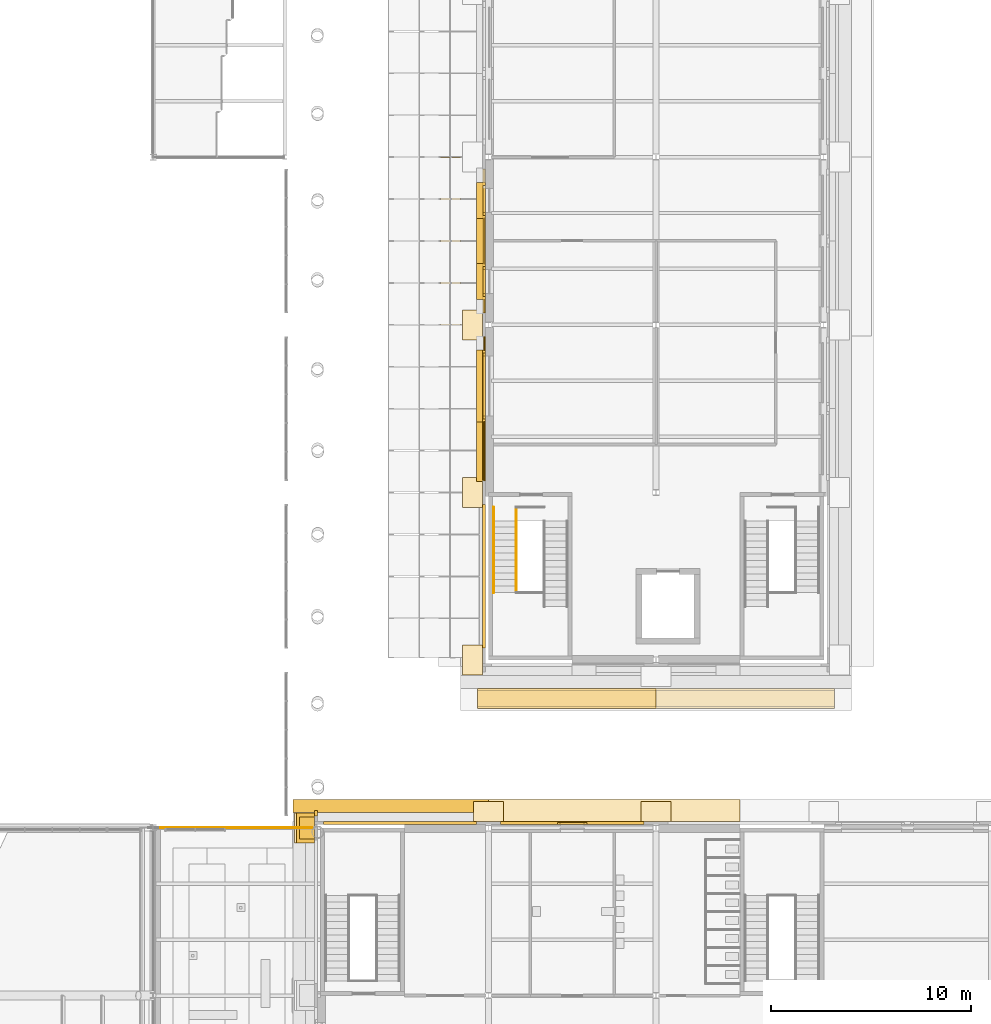
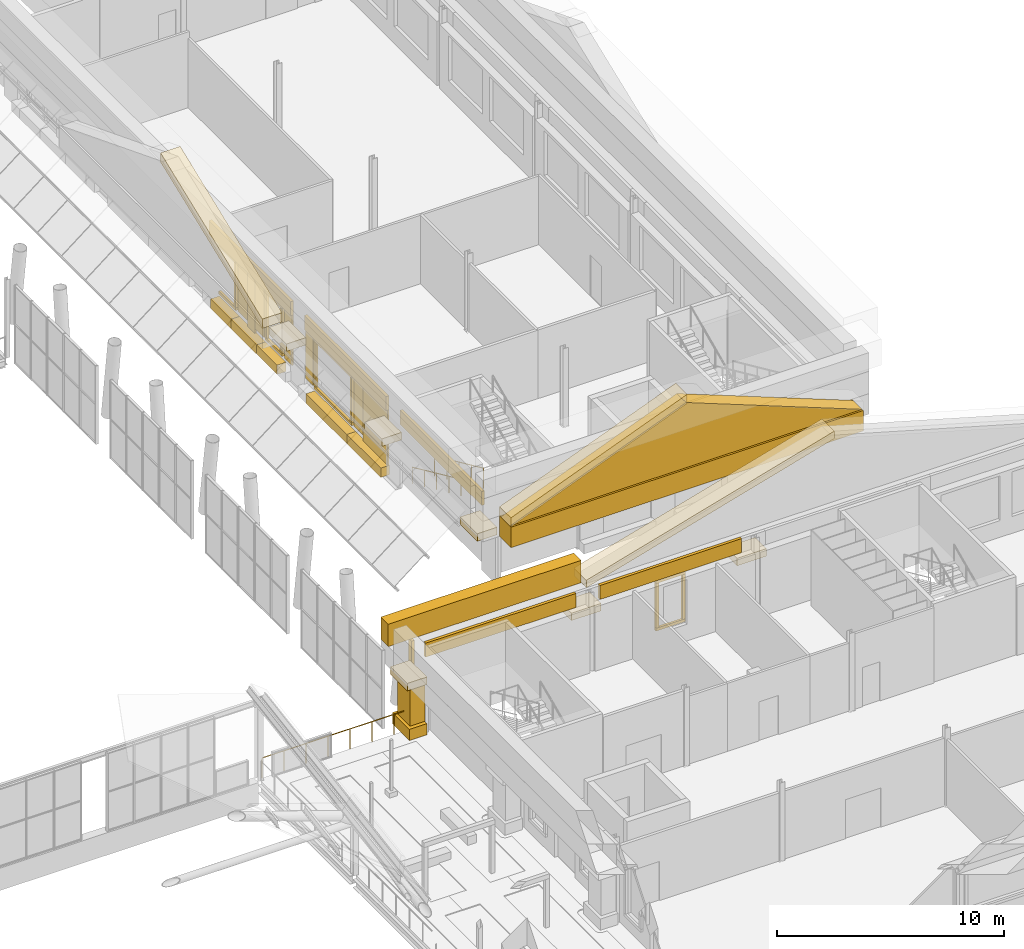
# One storey, part 63 of 76: 47 coverings, 3 railings.
"""IFC4 building model written with IfcOpenShell, lengths in metres."""

from ifc_helpers import new_model, si_unit, direction, frame, origin, origin_2d, place, context, subcontext, project, spatial, polyline, rectangle, circle, outline, extrude, material, layer, layer_set, type_object, element, save


model = new_model("IFC4")

# Units and contexts
model_context = context("Model", 3, precision=1e-05, world=origin(), true_north=direction((0.0, 1.0)))
body_context = subcontext(model_context, "Body", "Model", "MODEL_VIEW")
ifc_project = project(units=[si_unit("LENGTHUNIT", "METRE"), si_unit("AREAUNIT", "SQUARE_METRE"), si_unit("VOLUMEUNIT", "CUBIC_METRE"), si_unit("PLANEANGLEUNIT", "RADIAN"), si_unit("MASSUNIT", "GRAM", prefix="KILO")], contexts=[model_context])

# Site, building, storey
site_placement = place(None, origin())
site = spatial("IfcSite", under=ifc_project, at=site_placement, CompositionType="ELEMENT")
building_placement = place(site_placement, origin())
building = spatial("IfcBuilding", under=site, at=building_placement, Name="Sava Quay Ferry Terminal", CompositionType="ELEMENT")
storey_placement = place(building_placement, frame((0.0, 0.0, 10.800048828125)))
storey = spatial("IfcBuildingStorey", under=building, at=storey_placement, Name="L02", CompositionType="ELEMENT", Elevation=10.800048828125)

# Covering
ifc_material_1 = material(Name="Limestone Mutalj", Category="masonry")
ifc_layer_1 = layer(ifc_material_1, 0.64990234375)
ifc_layer_set_1 = layer_set([ifc_layer_1], Name="Limestone Mutalj")
covering_type_1 = type_object("IfcCoveringType", Name="Attic parapet 650", PredefinedType="MOLDING", material=ifc_layer_set_1)
covering_1_placement = place(storey_placement, frame((87.5, 51.485107421875, 4.2001953125), z_axis=(0.0, 0.0, 1.0), x_axis=(1.0, 0.0, 0.0)))
element("IfcCovering", 1, at=covering_1_placement, inside=storey, type_object=covering_type_1, Name="Attic parapet P N", PredefinedType="MOLDING", context=body_context, shape_type="SweptSolid", body=[
    extrude(rectangle(XDim=9.800048828125, YDim=0.64990234375, at=origin_2d()), origin(), (0.0, 0.0, 1.0), 1.199951171875),
])

# Railing
ifc_material_2 = material(Name="Steel S355", Category="steel")
railing_type_1 = type_object("IfcRailingType", Name="Edge guard 1100", PredefinedType="GUARDRAIL", material=ifc_material_2)
railing_1_placement = place(storey_placement, frame((75.760009765625, 50.39990234375, 0.0)))
element("IfcRailing", 2, at=railing_1_placement, inside=storey, type_object=railing_type_1, Name="Terrace edge guard", PredefinedType="GUARDRAIL", context=body_context, shape_type="SweptSolid", body=[
    extrude(circle(Radius=0.02392578125, at=origin_2d()), frame((0.0, 0.0, 1.076171875), z_axis=(1.0, 0.0, 0.0), x_axis=(0.0, 1.0, 0.0)), (0.0, 0.0, 1.0), 7.820068359375),
    extrude(circle(Radius=0.02099609375, at=origin_2d()), origin(), (0.0, 0.0, 1.0), 1.052001953125),
    extrude(circle(Radius=0.02099609375, at=origin_2d()), frame((1.1171875, 0.0, 0.0)), (0.0, 0.0, 1.0), 1.052001953125),
    extrude(circle(Radius=0.02099609375, at=origin_2d()), frame((2.234375, 0.0, 0.0)), (0.0, 0.0, 1.0), 1.052001953125),
    extrude(circle(Radius=0.02099609375, at=origin_2d()), frame((3.3515625, 0.0, 0.0)), (0.0, 0.0, 1.0), 1.052001953125),
    extrude(circle(Radius=0.02099609375, at=origin_2d()), frame((4.468505859375, 0.0, 0.0)), (0.0, 0.0, 1.0), 1.052001953125),
    extrude(circle(Radius=0.02099609375, at=origin_2d()), frame((5.585693359375, 0.0, 0.0)), (0.0, 0.0, 1.0), 1.052001953125),
    extrude(circle(Radius=0.02099609375, at=origin_2d()), frame((6.702880859375, 0.0, 0.0)), (0.0, 0.0, 1.0), 1.052001953125),
    extrude(circle(Radius=0.02099609375, at=origin_2d()), frame((7.820068359375, 0.0, 0.0)), (0.0, 0.0, 1.0), 1.052001953125),
])

# Coverings
ifc_material_3 = material(Name="Limestone Mutalj", Category="masonry")
ifc_layer_2 = layer(ifc_material_3, 0.89990234375)
ifc_layer_set_2 = layer_set([ifc_layer_2], Name="Limestone Mutalj")
covering_type_2 = type_object("IfcCoveringType", Name="Giant-order pilaster base 1500", PredefinedType="MOLDING", material=ifc_layer_set_2)
covering_2_placement = place(storey_placement, frame((83.25, 50.39990234375, 0.0), z_axis=(0.0, 0.0, 1.0), x_axis=(1.0, 0.0, 0.0)))
element("IfcCovering", 3, at=covering_2_placement, inside=storey, type_object=covering_type_2, Name="Giant-order pilaster base", PredefinedType="MOLDING", context=body_context, shape_type="SweptSolid", body=[
    extrude(rectangle(XDim=0.89990234375, YDim=1.5, at=origin_2d()), origin(), (0.0, 0.0, 1.0), 0.60009765625),
])
ifc_material_4 = material(Name="Limestone Mutalj", Category="masonry")
ifc_layer_3 = layer(ifc_material_4, 0.75)
ifc_layer_set_3 = layer_set([ifc_layer_3], Name="Limestone Mutalj")
covering_type_3 = type_object("IfcCoveringType", Name="Giant-order pilaster shaft 1100", PredefinedType="CLADDING", material=ifc_layer_set_3)
covering_3_placement = place(storey_placement, frame((83.324951171875, 50.39990234375, 0.599853515625), z_axis=(0.0, 0.0, 1.0), x_axis=(1.0, 0.0, 0.0)))
element("IfcCovering", 4, at=covering_3_placement, inside=storey, type_object=covering_type_3, Name="Giant-order pilaster", PredefinedType="CLADDING", context=body_context, shape_type="SweptSolid", body=[
    extrude(rectangle(XDim=0.75, YDim=1.10009765625, at=origin_2d()), origin(), (0.0, 0.0, 1.0), 2.10009765625),
])

# Railing
ifc_material_5 = material(Name="Steel S355", Category="steel")
railing_type_2 = type_object("IfcRailingType", Name="Guard 1100", PredefinedType="GUARDRAIL", material=ifc_material_5)
railing_2_placement = place(storey_placement, frame((93.800048828125, 66.469970703125, 0.14990234375)))
element("IfcRailing", 5, at=railing_2_placement, inside=storey, type_object=railing_type_2, Name="Guard at stair well ST-O1 L02", PredefinedType="GUARDRAIL", context=body_context, shape_type="SweptSolid", body=[
    extrude(circle(Radius=0.02392578125, at=origin_2d()), frame((0.0, 0.0, 1.076171875), z_axis=(0.0, -0.910371800137, 0.413791234219), x_axis=(1.0, 0.0, 0.0)), (0.0, 0.0, 1.0), 4.71240234375),
    extrude(circle(Radius=0.02099609375, at=origin_2d()), origin(), (0.0, 0.0, 1.0), 1.052001953125),
    extrude(circle(Radius=0.02099609375, at=origin_2d()), frame((0.0, -1.072509765625, 0.487548828125)), (0.0, 0.0, 1.0), 1.052001953125),
    extrude(circle(Radius=0.02099609375, at=origin_2d()), frame((0.0, -2.14501953125, 0.97509765625)), (0.0, 0.0, 1.0), 1.052001953125),
    extrude(circle(Radius=0.02099609375, at=origin_2d()), frame((0.0, -3.217529296875, 1.46240234375)), (0.0, 0.0, 1.0), 1.052001953125),
    extrude(circle(Radius=0.02099609375, at=origin_2d()), frame((0.0, -4.2900390625, 1.949951171875)), (0.0, 0.0, 1.0), 1.052001953125),
])

# Coverings
ifc_material_6 = material(Name="Limestone Mutalj", Category="masonry")
ifc_layer_4 = layer(ifc_material_6, 0.080078125)
ifc_layer_set_4 = layer_set([ifc_layer_4], Name="Limestone Mutalj")
covering_type_4 = type_object("IfcCoveringType", Name="Light stone cladding 80", PredefinedType="CLADDING", material=ifc_layer_set_4)
covering_4_placement = place(storey_placement, frame((92.2099609375, 68.868896484375, 0.5), z_axis=(0.0, 0.0, 1.0), x_axis=(1.0, 0.0, 0.0)))
element("IfcCovering", 6, at=covering_4_placement, inside=storey, type_object=covering_type_4, Name="Light stone cladding", PredefinedType="CLADDING", context=body_context, shape_type="SweptSolid", body=[
    extrude(rectangle(XDim=0.080078125, YDim=2.137451171875, at=origin_2d()), origin(), (0.0, 0.0, 1.0), 2.949951171875),
])
covering_5_placement = place(storey_placement, frame((92.2099609375, 70.33740234375, 0.800048828125), z_axis=(0.0, 0.0, 1.0), x_axis=(1.0, 0.0, 0.0)))
element("IfcCovering", 7, at=covering_5_placement, inside=storey, type_object=covering_type_4, Name="Light stone cladding", PredefinedType="CLADDING", context=body_context, shape_type="SweptSolid", body=[
    extrude(rectangle(XDim=0.080078125, YDim=0.800048828125, at=origin_2d()), origin(), (0.0, 0.0, 1.0), 2.64990234375),
])
covering_6_placement = place(storey_placement, frame((92.2099609375, 74.668701171875, 0.800048828125), z_axis=(0.0, 0.0, 1.0), x_axis=(1.0, 0.0, 0.0)))
element("IfcCovering", 8, at=covering_6_placement, inside=storey, type_object=covering_type_4, Name="Light stone cladding", PredefinedType="CLADDING", context=body_context, shape_type="SweptSolid", body=[
    extrude(rectangle(XDim=0.080078125, YDim=0.66259765625, at=origin_2d()), origin(), (0.0, 0.0, 1.0), 2.64990234375),
])
covering_7_placement = place(storey_placement, frame((92.2099609375, 76.534423828125, 0.75), z_axis=(0.0, 0.0, 1.0), x_axis=(1.0, 0.0, 0.0)))
element("IfcCovering", 9, at=covering_7_placement, inside=storey, type_object=covering_type_4, Name="Light stone cladding", PredefinedType="CLADDING", context=body_context, shape_type="SweptSolid", body=[
    extrude(rectangle(XDim=0.080078125, YDim=0.668701171875, at=origin_2d()), origin(), (0.0, 0.0, 1.0), 2.699951171875),
])
covering_8_placement = place(storey_placement, frame((92.2099609375, 79.068603515625, 0.75), z_axis=(0.0, 0.0, 1.0), x_axis=(1.0, 0.0, 0.0)))
element("IfcCovering", 10, at=covering_8_placement, inside=storey, type_object=covering_type_4, Name="Light stone cladding", PredefinedType="CLADDING", context=body_context, shape_type="SweptSolid", body=[
    extrude(rectangle(XDim=0.080078125, YDim=0.800048828125, at=origin_2d()), origin(), (0.0, 0.0, 1.0), 2.699951171875),
])
covering_9_placement = place(storey_placement, frame((92.2099609375, 79.800048828125, 0.5), z_axis=(0.0, 0.0, 1.0), x_axis=(1.0, 0.0, 0.0)))
element("IfcCovering", 11, at=covering_9_placement, inside=storey, type_object=covering_type_4, Name="Light stone cladding", PredefinedType="CLADDING", context=body_context, shape_type="SweptSolid", body=[
    extrude(rectangle(XDim=0.080078125, YDim=0.66259765625, at=origin_2d()), origin(), (0.0, 0.0, 1.0), 2.949951171875),
])
covering_10_placement = place(storey_placement, frame((92.2099609375, 80.53125, 0.800048828125), z_axis=(0.0, 0.0, 1.0), x_axis=(1.0, 0.0, 0.0)))
element("IfcCovering", 12, at=covering_10_placement, inside=storey, type_object=covering_type_4, Name="Light stone cladding", PredefinedType="CLADDING", context=body_context, shape_type="SweptSolid", body=[
    extrude(rectangle(XDim=0.080078125, YDim=0.800048828125, at=origin_2d()), origin(), (0.0, 0.0, 1.0), 2.64990234375),
])
ifc_material_7 = material(Name="Limestone Mutalj", Category="masonry")
ifc_layer_5 = layer(ifc_material_7, 0.14990234375)
ifc_layer_set_5 = layer_set([ifc_layer_5], Name="Limestone Mutalj")
covering_type_5 = type_object("IfcCoveringType", Name="Limestone string course 150", PredefinedType="CLADDING", material=ifc_layer_set_5)
covering_11_placement = place(storey_placement, frame((0.0, 0.0, 3.449951171875)))
element("IfcCovering", 13, at=covering_11_placement, inside=storey, type_object=covering_type_5, Name="String course P-N", PredefinedType="CLADDING", context=body_context, shape_type="SweptSolid", body=[
    extrude(outline(polyline([(84.14990234375, 50.56005859375), (91.800048828125, 50.56005859375), (91.800048828125, 50.7099609375), (84.14990234375, 50.7099609375), (84.14990234375, 50.56005859375)])), origin(), (0.0, 0.0, 1.0), 0.75),
])
covering_12_placement = place(storey_placement, frame((0.0, 0.0, 3.449951171875)))
element("IfcCovering", 14, at=covering_12_placement, inside=storey, type_object=covering_type_5, Name="String course P-N", PredefinedType="CLADDING", context=body_context, shape_type="SweptSolid", body=[
    extrude(outline(polyline([(93.0, 50.56005859375), (100.199951171875, 50.56005859375), (100.199951171875, 50.7099609375), (93.0, 50.7099609375), (93.0, 50.56005859375)])), origin(), (0.0, 0.0, 1.0), 0.75),
])
covering_13_placement = place(storey_placement, frame((0.0, 0.0, 3.449951171875)))
element("IfcCovering", 15, at=covering_13_placement, inside=storey, type_object=covering_type_5, Name="String course O-W", PredefinedType="CLADDING", context=body_context, shape_type="SweptSolid", body=[
    extrude(outline(polyline([(92.25, 59.39990234375), (92.25, 66.60009765625), (92.10009765625, 66.60009765625), (92.10009765625, 59.39990234375), (92.25, 59.39990234375)])), origin(), (0.0, 0.0, 1.0), 0.75),
])
covering_14_placement = place(storey_placement, frame((0.0, 0.0, 3.449951171875)))
element("IfcCovering", 16, at=covering_14_placement, inside=storey, type_object=covering_type_5, Name="String course O-W", PredefinedType="CLADDING", context=body_context, shape_type="SweptSolid", body=[
    extrude(outline(polyline([(92.25, 67.800048828125), (92.25, 75.0), (92.10009765625, 75.0), (92.10009765625, 67.800048828125), (92.25, 67.800048828125)])), origin(), (0.0, 0.0, 1.0), 0.75),
])
covering_15_placement = place(storey_placement, frame((0.0, 0.0, 3.449951171875)))
element("IfcCovering", 17, at=covering_15_placement, inside=storey, type_object=covering_type_5, Name="String course O-W", PredefinedType="CLADDING", context=body_context, shape_type="SweptSolid", body=[
    extrude(outline(polyline([(92.25, 76.199951171875), (92.25, 83.39990234375), (92.10009765625, 83.39990234375), (92.10009765625, 76.199951171875), (92.25, 76.199951171875)])), origin(), (0.0, 0.0, 1.0), 0.75),
])
ifc_material_8 = material(Name="Limestone Mutalj", Category="masonry")
ifc_layer_6 = layer(ifc_material_8, 0.14990234375)
ifc_layer_set_6 = layer_set([ifc_layer_6], Name="Limestone Mutalj")
covering_type_6 = type_object("IfcCoveringType", Name="Pier closer piece 150", PredefinedType="CLADDING", material=ifc_layer_set_6)
covering_16_placement = place(storey_placement, frame((83.77490234375, 51.139892578125, 0.0), z_axis=(0.0, 0.0, 1.0), x_axis=(1.0, 0.0, 0.0)))
element("IfcCovering", 18, at=covering_16_placement, inside=storey, type_object=covering_type_6, Name="Pier closer piece", PredefinedType="CLADDING", context=body_context, shape_type="SweptSolid", body=[
    extrude(rectangle(XDim=0.14990234375, YDim=0.280029296875, at=origin_2d()), origin(), (0.0, 0.0, 1.0), 4.199951171875),
])
ifc_material_9 = material(Name="Limestone Mutalj", Category="masonry")
ifc_layer_7 = layer(ifc_material_9, 1.0)
ifc_layer_set_7 = layer_set([ifc_layer_7], Name="Limestone Mutalj")
covering_type_7 = type_object("IfcCoveringType", Name="Pilaster capital block 1500", PredefinedType="MOLDING", material=ifc_layer_set_7)
for number, where, z_axis, x_axis, name in (
    (19, (91.60009765625, 58.800048828125, 2.699951171875), (0.0, 0.0, 1.0), (1.0, 0.0, 0.0), "Giant-order capital"),
    (20, (91.60009765625, 67.199951171875, 2.699951171875), (0.0, 0.0, 1.0), (1.0, 0.0, 0.0), "Giant-order capital"),
    (21, (91.60009765625, 75.60009765625, 2.699951171875), (0.0, 0.0, 1.0), (1.0, 0.0, 0.0), "Giant-order capital"),
):
    element("IfcCovering", number, at=place(storey_placement, frame(where, z_axis=z_axis, x_axis=x_axis)), inside=storey, type_object=covering_type_7, Name=name, PredefinedType="MOLDING", context=body_context, shape_type="SweptSolid", body=[
        extrude(rectangle(XDim=1.0, YDim=1.5, at=origin_2d()), origin(), (0.0, 0.0, 1.0), 0.39990234375),
    ])
for number, where, z_axis, x_axis, name in (
    (22, (92.39990234375, 51.2099609375, 2.699951171875), (0.0, 0.0, 1.0), (1.0, 0.0, 0.0), "Giant-order capital"),
    (23, (100.800048828125, 51.2099609375, 2.699951171875), (0.0, 0.0, 1.0), (1.0, 0.0, 0.0), "Giant-order capital"),
):
    element("IfcCovering", number, at=place(storey_placement, frame(where, z_axis=z_axis, x_axis=x_axis)), inside=storey, type_object=covering_type_7, Name=name, PredefinedType="MOLDING", context=body_context, shape_type="SweptSolid", body=[
        extrude(rectangle(XDim=1.5, YDim=1.0, at=origin_2d()), origin(), (0.0, 0.0, 1.0), 0.39990234375),
    ])
covering_17_placement = place(storey_placement, frame((83.199951171875, 50.39990234375, 2.699951171875), z_axis=(0.0, 0.0, 1.0), x_axis=(1.0, 0.0, 0.0)))
element("IfcCovering", 24, at=covering_17_placement, inside=storey, type_object=covering_type_7, Name="Giant-order capital", PredefinedType="MOLDING", context=body_context, shape_type="SweptSolid", body=[
    extrude(rectangle(XDim=1.0, YDim=1.5, at=origin_2d()), origin(), (0.0, 0.0, 1.0), 0.39990234375),
])
ifc_material_10 = material(Name="Limestone Mutalj", Category="masonry")
ifc_layer_8 = layer(ifc_material_10, 0.1201171875)
ifc_layer_set_8 = layer_set([ifc_layer_8], Name="Limestone Mutalj")
covering_type_8 = type_object("IfcCoveringType", Name="Plain window architrave 150", PredefinedType="MOLDING", material=ifc_layer_set_8)
for number, where, z_axis, x_axis, name in (
    (25, (92.18994140625, 70.96240234375, 0.89990234375), (0.0, 0.0, 1.0), (1.0, 0.0, 0.0), "Plain window architrave"),
    (26, (92.18994140625, 74.112548828125, 0.89990234375), (0.0, 0.0, 1.0), (1.0, 0.0, 0.0), "Plain window architrave"),
):
    element("IfcCovering", number, at=place(storey_placement, frame(where, z_axis=z_axis, x_axis=x_axis)), inside=storey, type_object=covering_type_8, Name=name, PredefinedType="MOLDING", context=body_context, shape_type="SweptSolid", body=[
        extrude(rectangle(XDim=0.1201171875, YDim=0.14990234375, at=origin_2d()), origin(), (0.0, 0.0, 1.0), 2.39990234375),
    ])
for number, where, z_axis, x_axis, name in (
    (27, (92.18994140625, 72.53759765625, 3.300048828125), (0.0, 0.0, 1.0), (1.0, 0.0, 0.0), "Plain window architrave"),
    (28, (92.18994140625, 72.53759765625, 0.75), (0.0, 0.0, 1.0), (1.0, 0.0, 0.0), "Plain window architrave"),
):
    element("IfcCovering", number, at=place(storey_placement, frame(where, z_axis=z_axis, x_axis=x_axis)), inside=storey, type_object=covering_type_8, Name=name, PredefinedType="MOLDING", context=body_context, shape_type="SweptSolid", body=[
        extrude(rectangle(XDim=0.1201171875, YDim=3.300048828125, at=origin_2d()), origin(), (0.0, 0.0, 1.0), 0.14990234375),
    ])
for number, where, z_axis, x_axis, name in (
    (29, (92.18994140625, 77.09375, 0.89990234375), (0.0, 0.0, 1.0), (1.0, 0.0, 0.0), "Plain window architrave"),
    (30, (92.18994140625, 78.443603515625, 0.89990234375), (0.0, 0.0, 1.0), (1.0, 0.0, 0.0), "Plain window architrave"),
):
    element("IfcCovering", number, at=place(storey_placement, frame(where, z_axis=z_axis, x_axis=x_axis)), inside=storey, type_object=covering_type_8, Name=name, PredefinedType="MOLDING", context=body_context, shape_type="SweptSolid", body=[
        extrude(rectangle(XDim=0.1201171875, YDim=0.14990234375, at=origin_2d()), origin(), (0.0, 0.0, 1.0), 2.39990234375),
    ])
for number, where, z_axis, x_axis, name in (
    (31, (92.18994140625, 77.768798828125, 3.300048828125), (0.0, 0.0, 1.0), (1.0, 0.0, 0.0), "Plain window architrave"),
    (32, (92.18994140625, 77.768798828125, 0.75), (0.0, 0.0, 1.0), (1.0, 0.0, 0.0), "Plain window architrave"),
):
    element("IfcCovering", number, at=place(storey_placement, frame(where, z_axis=z_axis, x_axis=x_axis)), inside=storey, type_object=covering_type_8, Name=name, PredefinedType="MOLDING", context=body_context, shape_type="SweptSolid", body=[
        extrude(rectangle(XDim=0.1201171875, YDim=1.5, at=origin_2d()), origin(), (0.0, 0.0, 1.0), 0.14990234375),
    ])
covering_18_placement = place(storey_placement, frame((92.18994140625, 81.15625, 0.89990234375), z_axis=(0.0, 0.0, 1.0), x_axis=(1.0, 0.0, 0.0)))
element("IfcCovering", 33, at=covering_18_placement, inside=storey, type_object=covering_type_8, Name="Plain window architrave", PredefinedType="MOLDING", context=body_context, shape_type="SweptSolid", body=[
    extrude(rectangle(XDim=0.1201171875, YDim=0.14990234375, at=origin_2d()), origin(), (0.0, 0.0, 1.0), 2.39990234375),
])
for number, where, z_axis, x_axis, name in (
    (34, (92.18994140625, 81.831298828125, 3.300048828125), (0.0, 0.0, 1.0), (1.0, 0.0, 0.0), "Plain window architrave"),
    (35, (92.18994140625, 81.831298828125, 0.75), (0.0, 0.0, 1.0), (1.0, 0.0, 0.0), "Plain window architrave"),
):
    element("IfcCovering", number, at=place(storey_placement, frame(where, z_axis=z_axis, x_axis=x_axis)), inside=storey, type_object=covering_type_8, Name=name, PredefinedType="MOLDING", context=body_context, shape_type="SweptSolid", body=[
        extrude(rectangle(XDim=0.1201171875, YDim=1.5, at=origin_2d()), origin(), (0.0, 0.0, 1.0), 0.14990234375),
    ])
for number, where, z_axis, x_axis, name in (
    (36, (95.925048828125, 50.6201171875, 0.89990234375), (0.0, 0.0, 1.0), (1.0, 0.0, 0.0), "Plain window architrave"),
    (37, (97.27490234375, 50.6201171875, 0.89990234375), (0.0, 0.0, 1.0), (1.0, 0.0, 0.0), "Plain window architrave"),
):
    element("IfcCovering", number, at=place(storey_placement, frame(where, z_axis=z_axis, x_axis=x_axis)), inside=storey, type_object=covering_type_8, Name=name, PredefinedType="MOLDING", context=body_context, shape_type="SweptSolid", body=[
        extrude(rectangle(XDim=0.14990234375, YDim=0.1201171875, at=origin_2d()), origin(), (0.0, 0.0, 1.0), 2.39990234375),
    ])
for number, where, z_axis, x_axis, name in (
    (38, (96.60009765625, 50.6201171875, 3.300048828125), (0.0, 0.0, 1.0), (1.0, 0.0, 0.0), "Plain window architrave"),
    (39, (96.60009765625, 50.6201171875, 0.75), (0.0, 0.0, 1.0), (1.0, 0.0, 0.0), "Plain window architrave"),
):
    element("IfcCovering", number, at=place(storey_placement, frame(where, z_axis=z_axis, x_axis=x_axis)), inside=storey, type_object=covering_type_8, Name=name, PredefinedType="MOLDING", context=body_context, shape_type="SweptSolid", body=[
        extrude(rectangle(XDim=1.5, YDim=0.1201171875, at=origin_2d()), origin(), (0.0, 0.0, 1.0), 0.14990234375),
    ])
ifc_material_11 = material(Name="Limestone Mutalj", Category="masonry")
ifc_layer_9 = layer(ifc_material_11, 1.0)
ifc_layer_set_9 = layer_set([ifc_layer_9], Name="Limestone Mutalj")
covering_type_9 = type_object("IfcCoveringType", Name="Portico entablature 1000", PredefinedType="MOLDING", material=ifc_layer_set_9)
covering_19_placement = place(storey_placement, frame((100.800048828125, 56.889892578125, 3.099853515625), z_axis=(0.0, 0.0, 1.0), x_axis=(1.0, 0.0, 0.0)))
element("IfcCovering", 40, at=covering_19_placement, inside=storey, type_object=covering_type_9, Name="Portico entablature", PredefinedType="MOLDING", context=body_context, shape_type="SweptSolid", body=[
    extrude(rectangle(XDim=17.89990234375, YDim=1.0, at=origin_2d()), origin(), (0.0, 0.0, 1.0), 1.10009765625),
])
ifc_material_12 = material(Name="Limestone Mutalj", Category="masonry")
ifc_layer_10 = layer(ifc_material_12, 0.800048828125)
ifc_layer_set_10 = layer_set([ifc_layer_10], Name="Limestone Mutalj")
covering_type_10 = type_object("IfcCoveringType", Name="Portico pediment tympanum 800", PredefinedType="CLADDING", material=ifc_layer_set_10)
covering_20_placement = place(storey_placement, frame((91.85009765625, 56.489990234375, 4.199951171875), z_axis=(0.0, -1.0, 0.0), x_axis=(1.0, 0.0, 0.0)))
element("IfcCovering", 41, at=covering_20_placement, inside=storey, type_object=covering_type_10, Name="Portico pediment", PredefinedType="CLADDING", context=body_context, shape_type="SweptSolid", body=[
    extrude(outline(polyline([(0.0, 0.0), (17.89990234375, 0.0), (8.949951171875, 3.5), (0.0, 0.0)])), origin(), (0.0, 0.0, -1.0), 0.800048828125),
])
ifc_material_13 = material(Name="Limestone Mutalj", Category="masonry")
ifc_layer_11 = layer(ifc_material_13, 1.0)
ifc_layer_set_11 = layer_set([ifc_layer_11], Name="Limestone Mutalj")
covering_type_11 = type_object("IfcCoveringType", Name="Portico raking cornice 1000", PredefinedType="MOLDING", material=ifc_layer_set_11)
for number, where, z_axis, x_axis, name in (
    (42, (91.0, 75.050048828125, 4.199951171875), (1.0, 0.0, 0.0), (0.0, 0.931318849213, 0.364204888903), "Portico raking cornice"),
    (43, (91.85009765625, 56.389892578125, 4.199951171875), (0.0, -1.0, 0.0), (0.931318849213, 0.0, 0.364204888903), "Portico raking cornice"),
):
    element("IfcCovering", number, at=place(storey_placement, frame(where, z_axis=z_axis, x_axis=x_axis)), inside=storey, type_object=covering_type_11, Name=name, PredefinedType="MOLDING", context=body_context, shape_type="SweptSolid", body=[
        extrude(outline(polyline([(0.0, 0.0), (9.609975337062354, 0.0), (9.792077781514095, 0.46565942460633236), (0.1821024444517412, 0.46565942460633236), (0.0, 0.0)])), origin(), (0.0, 0.0, -1.0), 1.0),
    ])
ifc_material_14 = material(Name="Limestone Mutalj", Category="masonry")
ifc_layer_12 = layer(ifc_material_14, 0.449951171875)
ifc_layer_set_12 = layer_set([ifc_layer_12], Name="Limestone Mutalj")
covering_type_12 = type_object("IfcCoveringType", Name="Projecting string course 500", PredefinedType="MOLDING", material=ifc_layer_set_12)
covering_21_placement = place(storey_placement, frame((92.02490234375, 69.243896484375, 0.0), z_axis=(0.0, 0.0, 1.0), x_axis=(1.0, 0.0, 0.0)))
element("IfcCovering", 44, at=covering_21_placement, inside=storey, type_object=covering_type_12, Name="Projecting string course", PredefinedType="MOLDING", context=body_context, shape_type="SweptSolid", body=[
    extrude(rectangle(XDim=0.449951171875, YDim=2.987548828125, at=origin_2d()), origin(), (0.0, 0.0, 1.0), 0.5),
])
covering_22_placement = place(storey_placement, frame((92.02490234375, 72.53759765625, 0.0), z_axis=(0.0, 0.0, 1.0), x_axis=(1.0, 0.0, 0.0)))
element("IfcCovering", 45, at=covering_22_placement, inside=storey, type_object=covering_type_12, Name="Projecting string course", PredefinedType="MOLDING", context=body_context, shape_type="SweptSolid", body=[
    extrude(rectangle(XDim=0.449951171875, YDim=3.60009765625, at=origin_2d()), origin(), (0.0, 0.0, 1.0), 0.5),
])
covering_23_placement = place(storey_placement, frame((92.02490234375, 77.768798828125, 0.0), z_axis=(0.0, 0.0, 1.0), x_axis=(1.0, 0.0, 0.0)))
element("IfcCovering", 46, at=covering_23_placement, inside=storey, type_object=covering_type_12, Name="Projecting string course", PredefinedType="MOLDING", context=body_context, shape_type="SweptSolid", body=[
    extrude(rectangle(XDim=0.449951171875, YDim=1.800048828125, at=origin_2d()), origin(), (0.0, 0.0, 1.0), 0.5),
])
covering_24_placement = place(storey_placement, frame((92.02490234375, 79.800048828125, 0.0), z_axis=(0.0, 0.0, 1.0), x_axis=(1.0, 0.0, 0.0)))
element("IfcCovering", 47, at=covering_24_placement, inside=storey, type_object=covering_type_12, Name="Projecting string course", PredefinedType="MOLDING", context=body_context, shape_type="SweptSolid", body=[
    extrude(rectangle(XDim=0.449951171875, YDim=2.2626953125, at=origin_2d()), origin(), (0.0, 0.0, 1.0), 0.5),
])
covering_25_placement = place(storey_placement, frame((92.02490234375, 81.831298828125, 0.0), z_axis=(0.0, 0.0, 1.0), x_axis=(1.0, 0.0, 0.0)))
element("IfcCovering", 48, at=covering_25_placement, inside=storey, type_object=covering_type_12, Name="Projecting string course", PredefinedType="MOLDING", context=body_context, shape_type="SweptSolid", body=[
    extrude(rectangle(XDim=0.449951171875, YDim=1.800048828125, at=origin_2d()), origin(), (0.0, 0.0, 1.0), 0.5),
])
ifc_material_15 = material(Name="Limestone Mutalj", Category="masonry")
ifc_layer_13 = layer(ifc_material_15, 1.39990234375)
ifc_layer_set_13 = layer_set([ifc_layer_13], Name="Limestone Mutalj")
covering_type_13 = type_object("IfcCoveringType", Name="Raking cornice 500", PredefinedType="MOLDING", material=ifc_layer_set_13)
covering_26_placement = place(storey_placement, frame((92.39990234375, 50.7099609375, 4.199951171875), z_axis=(0.0, -1.0, 0.0), x_axis=(0.961522541549, 0.0, 0.27472604917)))
element("IfcCovering", 49, at=covering_26_placement, inside=storey, type_object=covering_type_13, Name="Front raking cornice P N", PredefinedType="MOLDING", context=body_context, shape_type="SweptSolid", body=[
    extrude(outline(polyline([(0.0, 0.0), (13.104318527934732, 4.440892098500626e-16), (13.214182118887152, 0.38451511793397986), (0.10986359095242128, 0.3845151179339796), (0.0, 0.0)])), origin(), (0.0, 0.0, -1.0), 1.10009765625),
])

# Railing
ifc_material_16 = material(Name="Steel S355", Category="steel")
railing_type_3 = type_object("IfcRailingType", Name="Stair handrail 900", PredefinedType="HANDRAIL", material=ifc_material_16)
railing_3_placement = place(storey_placement, frame((92.659912109375, 66.469970703125, 0.14990234375)))
element("IfcRailing", 50, at=railing_3_placement, inside=storey, type_object=railing_type_3, Name="Handrail ST-O1 L02", PredefinedType="HANDRAIL", context=body_context, shape_type="SweptSolid", body=[
    extrude(circle(Radius=0.02392578125, at=origin_2d()), frame((0.0, 0.0, 0.8759765625), z_axis=(0.0, -0.910371800137, 0.413791234219), x_axis=(1.0, 0.0, 0.0)), (0.0, 0.0, 1.0), 4.71240234375),
    extrude(circle(Radius=0.02099609375, at=origin_2d()), origin(), (0.0, 0.0, 1.0), 0.851806640625),
    extrude(circle(Radius=0.02099609375, at=origin_2d()), frame((0.0, -1.072509765625, 0.487548828125)), (0.0, 0.0, 1.0), 0.851806640625),
    extrude(circle(Radius=0.02099609375, at=origin_2d()), frame((0.0, -2.14501953125, 0.97509765625)), (0.0, 0.0, 1.0), 0.851806640625),
    extrude(circle(Radius=0.02099609375, at=origin_2d()), frame((0.0, -3.217529296875, 1.46240234375)), (0.0, 0.0, 1.0), 0.851806640625),
    extrude(circle(Radius=0.02099609375, at=origin_2d()), frame((0.0, -4.2900390625, 1.949951171875)), (0.0, 0.0, 1.0), 0.851806640625),
])

save(model, "model.ifc")
